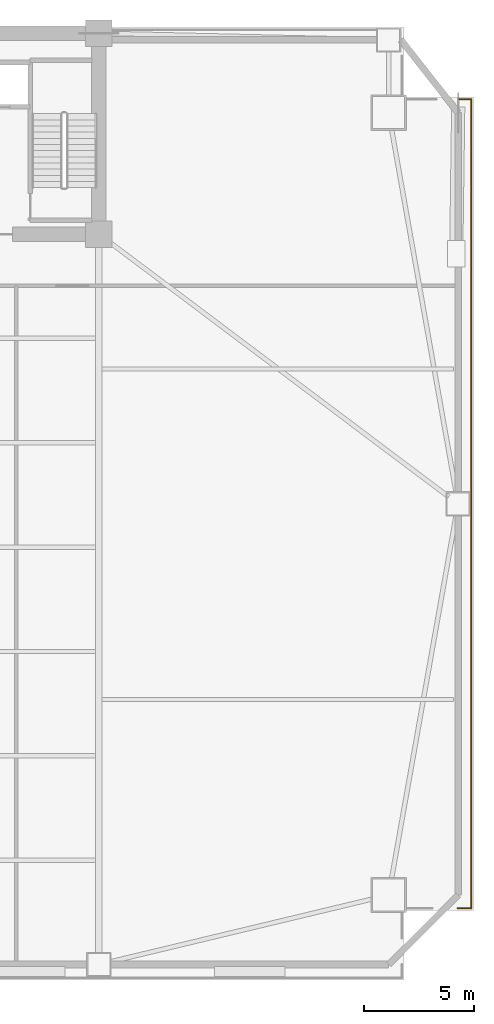
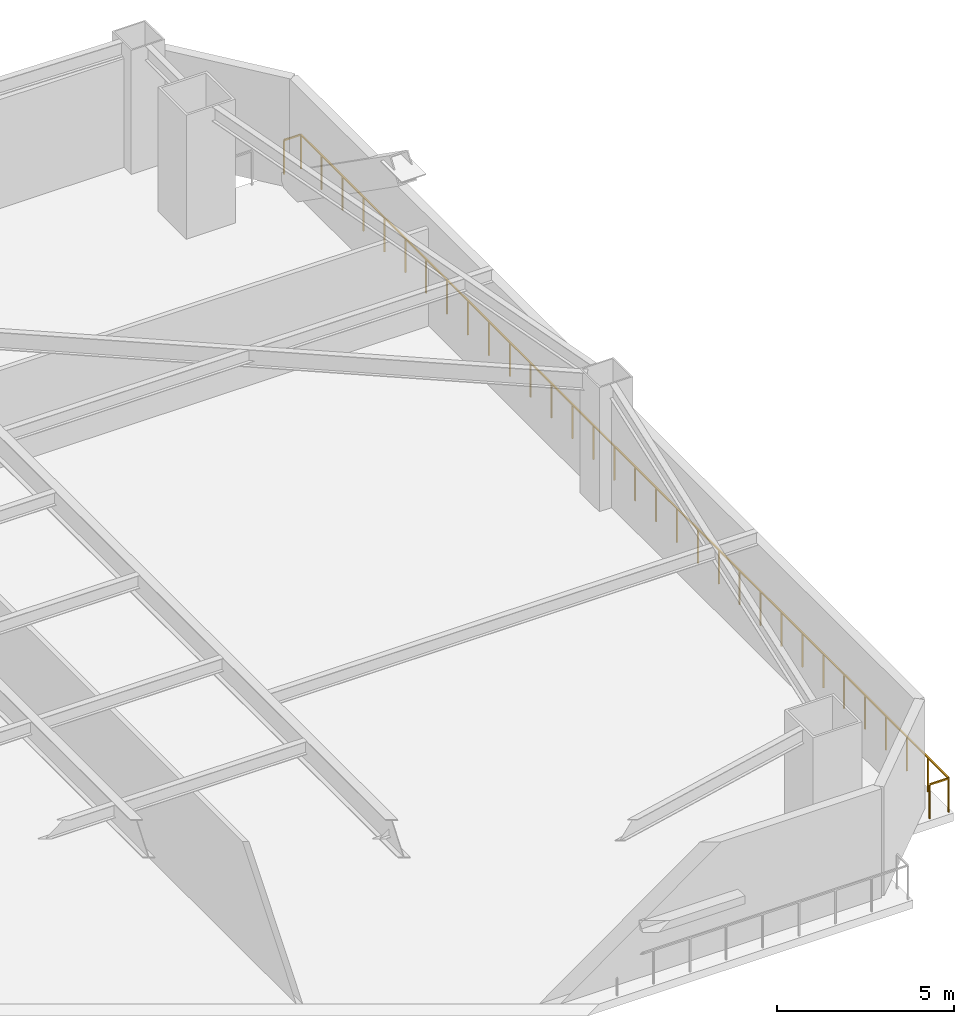
# One storey, part 9 of 9: 3 railings.
"""IFC4 building model written with IfcOpenShell, lengths in metres."""

from ifc_helpers import new_model, si_unit, direction, frame, origin, origin_2d, place, context, subcontext, project, spatial, rectangle, extrude, material, type_object, element, save


model = new_model("IFC4")

# Units and contexts
model_context = context("Model", 3, precision=1e-05, world=origin(), true_north=direction((0.0, 1.0)))
body_context = subcontext(model_context, "Body", "Model", "MODEL_VIEW")
ifc_project = project(units=[si_unit("LENGTHUNIT", "METRE"), si_unit("AREAUNIT", "SQUARE_METRE"), si_unit("VOLUMEUNIT", "CUBIC_METRE"), si_unit("PLANEANGLEUNIT", "RADIAN"), si_unit("MASSUNIT", "GRAM", prefix="KILO")], contexts=[model_context])

# Site, building, storey
site_placement = place(None, origin())
site = spatial("IfcSite", under=ifc_project, at=site_placement, CompositionType="ELEMENT")
building_placement = place(site_placement, origin())
building = spatial("IfcBuilding", under=site, at=building_placement, Name="Giltprow Tower", CompositionType="ELEMENT")
storey_placement = place(building_placement, frame((0.0, 0.0, 48.800048828125)))
storey = spatial("IfcBuildingStorey", under=building, at=storey_placement, Name="L12", CompositionType="ELEMENT", Elevation=48.800048828125)

# Railings
ifc_material = material(Name="Anodized bronze", Category="metal")
railing_type = type_object("IfcRailingType", Name="RAIL-BALC-GUARD-1200", PredefinedType="BALUSTRADE", material=ifc_material)
railing_1_placement = place(storey_placement, frame((66.87890625, 43.552001953125, 0.0)))
element("IfcRailing", 1, at=railing_1_placement, inside=storey, type_object=railing_type, Name="L12 Corner Apron Edge Balustrade 11", PredefinedType="BALUSTRADE", context=body_context, shape_type="SweptSolid", body=[
    extrude(rectangle(XDim=0.048095703125, YDim=0.048095703125, at=origin_2d()), frame((0.0, 0.0, 1.17578125), z_axis=(1.0, 0.0, 0.0), x_axis=(0.0, 1.0, 0.0)), (0.0, 0.0, 1.0), 0.551025390625),
    extrude(rectangle(XDim=0.0419921875, YDim=0.0419921875, at=origin_2d()), origin(), (0.0, 0.0, 1.0), 1.15185546875),
    extrude(rectangle(XDim=0.0419921875, YDim=0.0419921875, at=origin_2d()), frame((0.551025390625, 0.0, 0.0)), (0.0, 0.0, 1.0), 1.15185546875),
])
railing_2_placement = place(storey_placement, frame((67.429931640625, 43.552001953125, 0.0)))
element("IfcRailing", 2, at=railing_2_placement, inside=storey, type_object=railing_type, Name="L12 Corner Apron Edge Balustrade 12", PredefinedType="BALUSTRADE", context=body_context, shape_type="SweptSolid", body=[
    extrude(rectangle(XDim=0.048095703125, YDim=0.048095703125, at=origin_2d()), frame((0.0, 0.0, 1.17578125), z_axis=(0.0, -1.0, 0.0), x_axis=(1.0, 0.0, 0.0)), (0.0, 0.0, 1.0), 36.64990234375),
    extrude(rectangle(XDim=0.0419921875, YDim=0.0419921875, at=origin_2d()), origin(), (0.0, 0.0, 1.0), 1.15185546875),
    extrude(rectangle(XDim=0.0419921875, YDim=0.0419921875, at=origin_2d()), frame((0.0, -1.182373046875, 0.0)), (0.0, 0.0, 1.0), 1.15185546875),
    extrude(rectangle(XDim=0.0419921875, YDim=0.0419921875, at=origin_2d()), frame((0.0, -2.364501953125, 0.0)), (0.0, 0.0, 1.0), 1.15185546875),
    extrude(rectangle(XDim=0.0419921875, YDim=0.0419921875, at=origin_2d()), frame((0.0, -3.546875, 0.0)), (0.0, 0.0, 1.0), 1.15185546875),
    extrude(rectangle(XDim=0.0419921875, YDim=0.0419921875, at=origin_2d()), frame((0.0, -4.72900390625, 0.0)), (0.0, 0.0, 1.0), 1.15185546875),
    extrude(rectangle(XDim=0.0419921875, YDim=0.0419921875, at=origin_2d()), frame((0.0, -5.911376953125, 0.0)), (0.0, 0.0, 1.0), 1.15185546875),
    extrude(rectangle(XDim=0.0419921875, YDim=0.0419921875, at=origin_2d()), frame((0.0, -7.093505859375, 0.0)), (0.0, 0.0, 1.0), 1.15185546875),
    extrude(rectangle(XDim=0.0419921875, YDim=0.0419921875, at=origin_2d()), frame((0.0, -8.27587890625, 0.0)), (0.0, 0.0, 1.0), 1.15185546875),
    extrude(rectangle(XDim=0.0419921875, YDim=0.0419921875, at=origin_2d()), frame((0.0, -9.4580078125, 0.0)), (0.0, 0.0, 1.0), 1.15185546875),
    extrude(rectangle(XDim=0.0419921875, YDim=0.0419921875, at=origin_2d()), frame((0.0, -10.640380859375, 0.0)), (0.0, 0.0, 1.0), 1.15185546875),
    extrude(rectangle(XDim=0.0419921875, YDim=0.0419921875, at=origin_2d()), frame((0.0, -11.822509765625, 0.0)), (0.0, 0.0, 1.0), 1.15185546875),
    extrude(rectangle(XDim=0.0419921875, YDim=0.0419921875, at=origin_2d()), frame((0.0, -13.0048828125, 0.0)), (0.0, 0.0, 1.0), 1.15185546875),
    extrude(rectangle(XDim=0.0419921875, YDim=0.0419921875, at=origin_2d()), frame((0.0, -14.18701171875, 0.0)), (0.0, 0.0, 1.0), 1.15185546875),
    extrude(rectangle(XDim=0.0419921875, YDim=0.0419921875, at=origin_2d()), frame((0.0, -15.369384765625, 0.0)), (0.0, 0.0, 1.0), 1.15185546875),
    extrude(rectangle(XDim=0.0419921875, YDim=0.0419921875, at=origin_2d()), frame((0.0, -16.551513671875, 0.0)), (0.0, 0.0, 1.0), 1.15185546875),
    extrude(rectangle(XDim=0.0419921875, YDim=0.0419921875, at=origin_2d()), frame((0.0, -17.73388671875, 0.0)), (0.0, 0.0, 1.0), 1.15185546875),
    extrude(rectangle(XDim=0.0419921875, YDim=0.0419921875, at=origin_2d()), frame((0.0, -18.916015625, 0.0)), (0.0, 0.0, 1.0), 1.15185546875),
    extrude(rectangle(XDim=0.0419921875, YDim=0.0419921875, at=origin_2d()), frame((0.0, -20.098388671875, 0.0)), (0.0, 0.0, 1.0), 1.15185546875),
    extrude(rectangle(XDim=0.0419921875, YDim=0.0419921875, at=origin_2d()), frame((0.0, -21.280517578125, 0.0)), (0.0, 0.0, 1.0), 1.15185546875),
    extrude(rectangle(XDim=0.0419921875, YDim=0.0419921875, at=origin_2d()), frame((0.0, -22.462890625, 0.0)), (0.0, 0.0, 1.0), 1.15185546875),
    extrude(rectangle(XDim=0.0419921875, YDim=0.0419921875, at=origin_2d()), frame((0.0, -23.64501953125, 0.0)), (0.0, 0.0, 1.0), 1.15185546875),
    extrude(rectangle(XDim=0.0419921875, YDim=0.0419921875, at=origin_2d()), frame((0.0, -24.827392578125, 0.0)), (0.0, 0.0, 1.0), 1.15185546875),
    extrude(rectangle(XDim=0.0419921875, YDim=0.0419921875, at=origin_2d()), frame((0.0, -26.009521484375, 0.0)), (0.0, 0.0, 1.0), 1.15185546875),
    extrude(rectangle(XDim=0.0419921875, YDim=0.0419921875, at=origin_2d()), frame((0.0, -27.19189453125, 0.0)), (0.0, 0.0, 1.0), 1.15185546875),
    extrude(rectangle(XDim=0.0419921875, YDim=0.0419921875, at=origin_2d()), frame((0.0, -28.3740234375, 0.0)), (0.0, 0.0, 1.0), 1.15185546875),
    extrude(rectangle(XDim=0.0419921875, YDim=0.0419921875, at=origin_2d()), frame((0.0, -29.556396484375, 0.0)), (0.0, 0.0, 1.0), 1.15185546875),
    extrude(rectangle(XDim=0.0419921875, YDim=0.0419921875, at=origin_2d()), frame((0.0, -30.738525390625, 0.0)), (0.0, 0.0, 1.0), 1.15185546875),
    extrude(rectangle(XDim=0.0419921875, YDim=0.0419921875, at=origin_2d()), frame((0.0, -31.9208984375, 0.0)), (0.0, 0.0, 1.0), 1.15185546875),
    extrude(rectangle(XDim=0.0419921875, YDim=0.0419921875, at=origin_2d()), frame((0.0, -33.10302734375, 0.0)), (0.0, 0.0, 1.0), 1.15185546875),
    extrude(rectangle(XDim=0.0419921875, YDim=0.0419921875, at=origin_2d()), frame((0.0, -34.285400390625, 0.0)), (0.0, 0.0, 1.0), 1.15185546875),
    extrude(rectangle(XDim=0.0419921875, YDim=0.0419921875, at=origin_2d()), frame((0.0, -35.467529296875, 0.0)), (0.0, 0.0, 1.0), 1.15185546875),
    extrude(rectangle(XDim=0.0419921875, YDim=0.0419921875, at=origin_2d()), frame((0.0, -36.64990234375, 0.0)), (0.0, 0.0, 1.0), 1.15185546875),
])
railing_3_placement = place(storey_placement, frame((67.429931640625, 6.902099609375, 0.0)))
element("IfcRailing", 3, at=railing_3_placement, inside=storey, type_object=railing_type, Name="L12 Corner Apron Edge Balustrade 13", PredefinedType="BALUSTRADE", context=body_context, shape_type="SweptSolid", body=[
    extrude(rectangle(XDim=0.048095703125, YDim=0.048095703125, at=origin_2d()), frame((0.0, 0.0, 1.17578125), z_axis=(-1.0, 0.0, 0.0), x_axis=(0.0, -1.0, 0.0)), (0.0, 0.0, 1.0), 0.619873046875),
    extrude(rectangle(XDim=0.0419921875, YDim=0.0419921875, at=origin_2d()), origin(), (0.0, 0.0, 1.0), 1.15185546875),
    extrude(rectangle(XDim=0.0419921875, YDim=0.0419921875, at=origin_2d()), frame((-0.619873046875, 0.0, 0.0)), (0.0, 0.0, 1.0), 1.15185546875),
])

save(model, "model.ifc")
